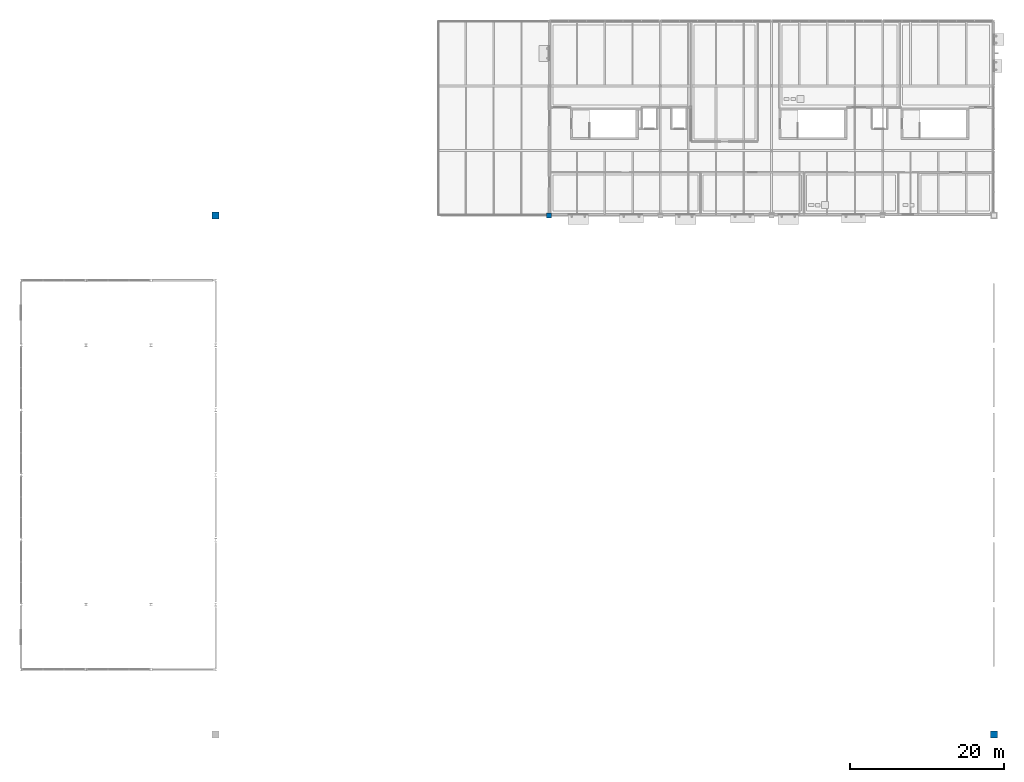
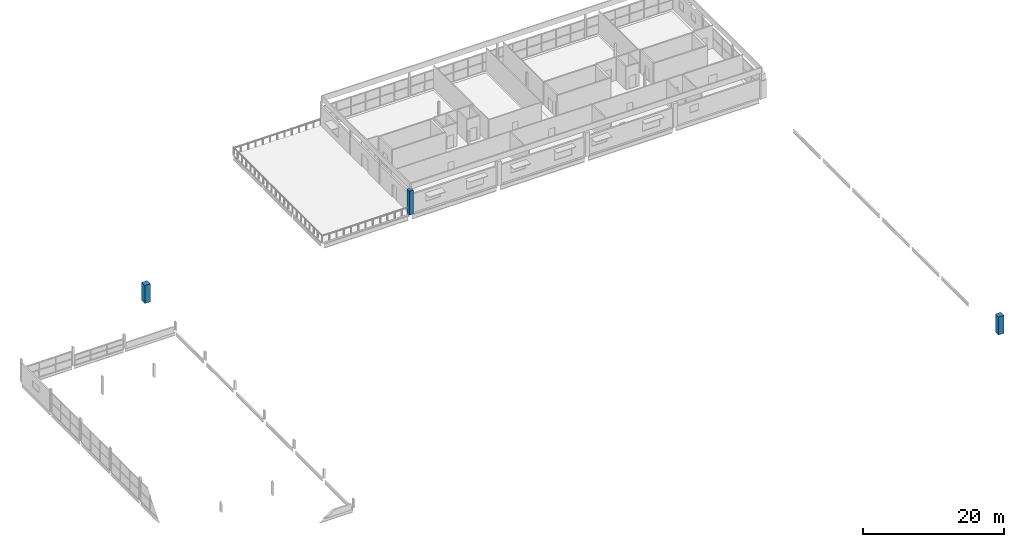
# One storey, part 3 of 43: 3 columns.
"""IFC4 building model written with IfcOpenShell, lengths in metres."""

from ifc_helpers import new_model, si_unit, direction, frame, origin, origin_2d, place, context, subcontext, project, spatial, rectangle, extrude, material, material_profile, profile_set, type_object, element, save


model = new_model("IFC4")

# Units and contexts
model_context = context("Model", 3, precision=1e-05, world=origin(), true_north=direction((0.0, 1.0)))
body_context = subcontext(model_context, "Body", "Model", "MODEL_VIEW")
ifc_project = project(units=[si_unit("LENGTHUNIT", "METRE"), si_unit("AREAUNIT", "SQUARE_METRE"), si_unit("VOLUMEUNIT", "CUBIC_METRE"), si_unit("PLANEANGLEUNIT", "RADIAN"), si_unit("MASSUNIT", "GRAM", prefix="KILO"), si_unit("THERMODYNAMICTEMPERATUREUNIT", "KELVIN")], contexts=[model_context])

# Site, building, storey
site_placement = place(None, origin())
site = spatial("IfcSite", under=ifc_project, at=site_placement, CompositionType="ELEMENT")
building_placement = place(site_placement, origin())
building = spatial("IfcBuilding", under=site, at=building_placement, Name="Nduvali Passage Aquatics Centre", CompositionType="ELEMENT")
storey_placement = place(building_placement, frame((0.0, 0.0, 17.39990234375)))
storey = spatial("IfcBuildingStorey", under=building, at=storey_placement, Name="L04", CompositionType="ELEMENT", Elevation=17.39990234375)

# Columns
ifc_material = material(Name="Concrete C40/50", Category="concrete")
ifc_material_profile_1 = material_profile(ifc_material, rectangle(XDim=0.64990234375, YDim=0.64990234375, at=origin_2d()), Name="RC 650x650")
ifc_profile_set_1 = profile_set([ifc_material_profile_1], Name="Concrete C40/50")
column_type_1 = type_object("IfcColumnType", Name="STR-COL-RC650-EXT", PredefinedType="COLUMN", material=ifc_profile_set_1)
column_placement = place(storey_placement, frame((68.39990234375, 92.39990234375, 0.0), z_axis=(0.0, 0.0, 1.0), x_axis=(1.0, 0.0, 0.0)))
element("IfcColumn", 1, at=column_placement, inside=storey, type_object=column_type_1, Name="L04 Column C3E (68.4, 92.4)", PredefinedType="COLUMN", context=body_context, shape_type="SweptSolid", body=[
    extrude(rectangle(XDim=0.64990234375, YDim=0.64990234375, at=origin_2d()), origin(), (0.0, 0.0, 1.0), 4.150146484375),
])
ifc_material_profile_2 = material_profile(ifc_material, rectangle(XDim=0.89990234375, YDim=0.89990234375, at=origin_2d()), Name="RC 900x900")
ifc_profile_set_2 = profile_set([ifc_material_profile_2], Name="Concrete C40/50")
column_type_2 = type_object("IfcColumnType", Name="STR-COL-RC900-EXT", PredefinedType="COLUMN", material=ifc_profile_set_2)
for number, where, z_axis, x_axis, name in (
    (2, (25.199951171875, 92.39990234375, 0.0), (0.0, 0.0, 1.0), (1.0, 0.0, 0.0), "L04 Column C1E (25.2, 92.4)"),
    (3, (126.0, 25.199951171875, 0.0), (0.0, 0.0, 1.0), (1.0, 0.0, 0.0), "L04 Column C1E (126.0, 25.2)"),
):
    element("IfcColumn", number, at=place(storey_placement, frame(where, z_axis=z_axis, x_axis=x_axis)), inside=storey, type_object=column_type_2, Name=name, PredefinedType="COLUMN", context=body_context, shape_type="SweptSolid", body=[
        extrude(rectangle(XDim=0.89990234375, YDim=0.89990234375, at=origin_2d()), origin(), (0.0, 0.0, 1.0), 3.108154296875),
    ])

save(model, "model.ifc")
